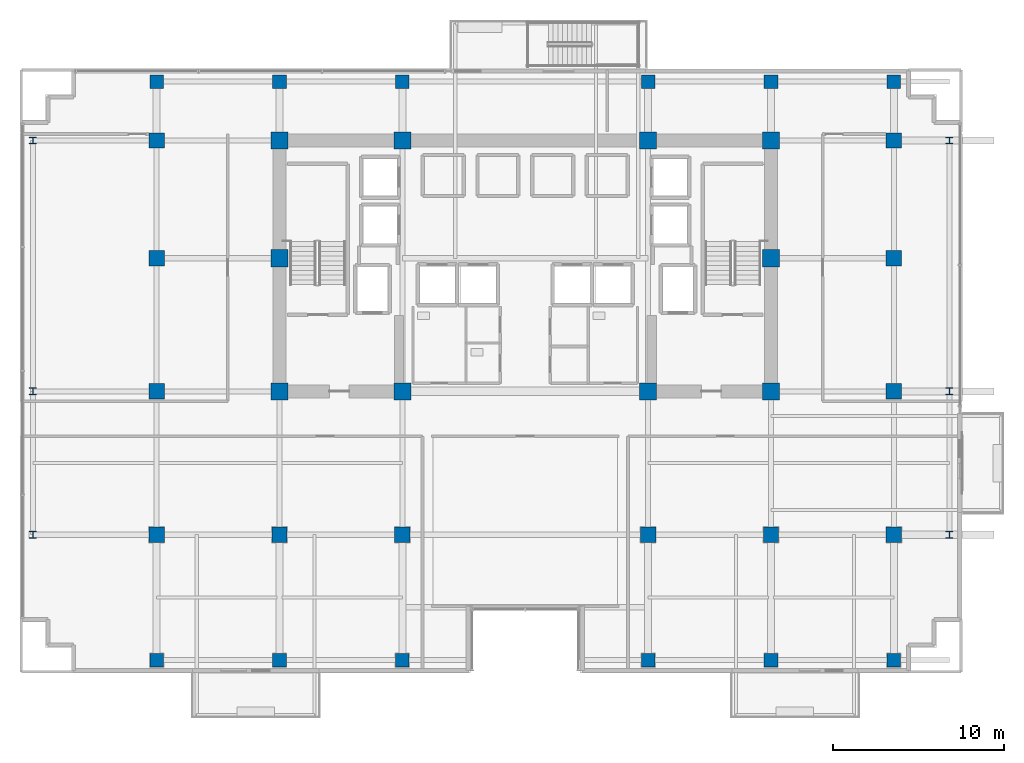
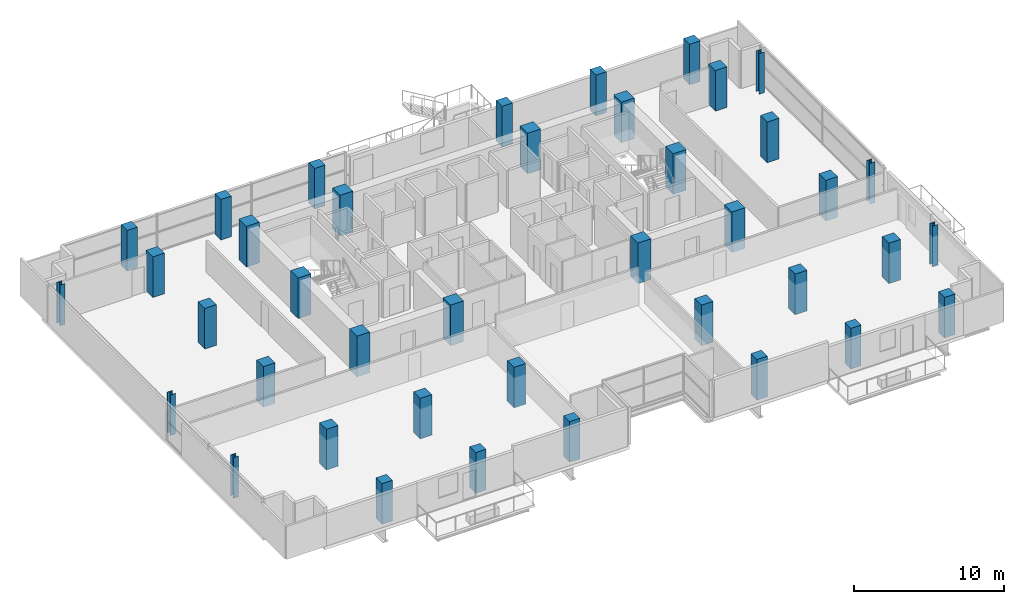
# One storey, part 1 of 27: 40 columns.
"""IFC4 building model written with IfcOpenShell, lengths in metres."""

import ifcopenshell
import ifcopenshell.guid

model = None  # the IFC model being written
_history = None  # IfcOwnerHistory: only IFC2X3 demands one
_inside = {}  # id of a spatial element -> (the spatial element, [elements in it])
_under = {}  # id of a project, library or spatial element -> (it, [spatial elements below it])
_declared = {}  # id of a project -> (the project, [libraries it declares])
_typed = {}  # id of a type object -> (the type object, [elements of that type])
_made_of = {}  # id of a material, layer set ... -> (it, [elements and type objects made of it])


def new_model(schema):
    """Start an empty IFC model of exactly this schema.

    Asked for "IFC4X3", IfcOpenShell would pick the latest addendum, in which some entities
    have other attributes; the version numbers below select the first issue.
    IFC2X3 requires an IfcOwnerHistory on every rooted entity: one is made here for all.
    """
    global model, _history
    if schema == "IFC4X3":
        model = ifcopenshell.file(schema_version=(4, 3, 0, 0))
    else:
        model = ifcopenshell.file(schema=schema)
    _inside.clear()
    _under.clear()
    _declared.clear()
    _typed.clear()
    _made_of.clear()
    _history = None
    if model.schema == "IFC2X3":
        org = make("IfcOrganization", Name="unknown")
        user = make(
            "IfcPersonAndOrganization",
            ThePerson=make("IfcPerson", FamilyName="unknown"),
            TheOrganization=org,
        )
        app = make(
            "IfcApplication",
            ApplicationDeveloper=org,
            Version="unknown",
            ApplicationFullName="unknown",
            ApplicationIdentifier="unknown",
        )
        _history = make(
            "IfcOwnerHistory",
            OwningUser=user,
            OwningApplication=app,
            ChangeAction="ADDED",
            CreationDate=0,
        )
    return model


def make(cls, **values):
    """One entity of the class cls with the attributes given. An attribute that is None is left unset."""
    return model.create_entity(
        cls, **{name: value for name, value in values.items() if value is not None}
    )


def rooted(cls, **values):
    """An entity with a GlobalId (a new one), such as an element, a storey or a relation."""
    return make(cls, GlobalId=ifcopenshell.guid.new(), OwnerHistory=_history, **values)


def si_unit(unit_type, name, prefix=None):
    """IfcSIUnit, for example si_unit("LENGTHUNIT", "METRE", prefix="MILLI")."""
    return make("IfcSIUnit", UnitType=unit_type, Prefix=prefix, Name=name)


def assignment(units):
    """IfcUnitAssignment: the units of a project."""
    return None if units is None else make("IfcUnitAssignment", Units=units)


def point(xyz):
    """IfcCartesianPoint."""
    return None if xyz is None else make("IfcCartesianPoint", Coordinates=xyz)


def direction(xyz):
    """IfcDirection."""
    return None if xyz is None else make("IfcDirection", DirectionRatios=xyz)


def frame(location, z_axis=None, x_axis=None):
    """IfcAxis2Placement3D, a coordinate frame: its origin and axes. An axis left out is left unset."""
    return make(
        "IfcAxis2Placement3D",
        Location=point(location),
        Axis=direction(z_axis),
        RefDirection=direction(x_axis),
    )


def frame_2d(location, x_axis=None):
    """IfcAxis2Placement2D, a coordinate frame in the plane: its origin and x axis."""
    return make(
        "IfcAxis2Placement2D", Location=point(location), RefDirection=direction(x_axis)
    )


def origin():
    """The frame at (0, 0, 0) with its axes left unset."""
    return frame((0.0, 0.0, 0.0))


def origin_2d():
    """The frame at (0, 0) in the plane with its x axis left unset."""
    return frame_2d((0.0, 0.0))


def place(relative_to, where):
    """IfcLocalPlacement: puts the frame where relative to a parent placement (None: the world)."""
    return make(
        "IfcLocalPlacement", PlacementRelTo=relative_to, RelativePlacement=where
    )


def context(
    kind, dimensions, precision=None, world=None, true_north=None, identifier=None
):
    """IfcGeometricRepresentationContext, for example the 3D "Model" context."""
    return make(
        "IfcGeometricRepresentationContext",
        ContextIdentifier=identifier,
        ContextType=kind,
        CoordinateSpaceDimension=dimensions,
        Precision=precision,
        WorldCoordinateSystem=world,
        TrueNorth=true_north,
    )


def subcontext(parent, identifier, kind, view, scale=None):
    """IfcGeometricRepresentationSubContext, for example "Body" below "Model"."""
    return make(
        "IfcGeometricRepresentationSubContext",
        ContextIdentifier=identifier,
        ContextType=kind,
        ParentContext=parent,
        TargetScale=scale,
        TargetView=view,
    )


def project(units=None, contexts=None):
    """IfcProject with its units and contexts."""
    return rooted(
        "IfcProject",
        Name="project",
        RepresentationContexts=contexts,
        UnitsInContext=assignment(units),
    )


def spatial(cls, under=None, at=None, **own):
    """A site, building, storey or space (cls), placed at a placement, below another one or the project."""
    s = rooted(cls, ObjectPlacement=at, **own)
    if under is not None:
        _under.setdefault(under.id(), (under, []))[1].append(s)
    return s


def profile(cls, at=None, kind="AREA", **sizes):
    """A parametric profile (cls). Its sizes go by their IFC names, for example OverallWidth=200.0."""
    return make(cls, ProfileType=kind, Position=at, **sizes)


def rectangle(**sizes):
    """IfcRectangleProfileDef."""
    return profile("IfcRectangleProfileDef", **sizes)


def i_section(**sizes):
    """IfcIShapeProfileDef."""
    return profile("IfcIShapeProfileDef", **sizes)


def extrude(swept, where, along, depth):
    """IfcExtrudedAreaSolid: the profile swept, set in the frame where, extruded along a direction by depth."""
    return make(
        "IfcExtrudedAreaSolid",
        SweptArea=swept,
        Position=where,
        ExtrudedDirection=direction(along),
        Depth=depth,
    )


def shape(context_of_items, identifier, shape_type, items):
    """IfcShapeRepresentation: the items that make up one representation, for example the "Body"."""
    return make(
        "IfcShapeRepresentation",
        ContextOfItems=context_of_items,
        RepresentationIdentifier=identifier,
        RepresentationType=shape_type,
        Items=items,
    )


def material(Name=None, Category=None):
    """IfcMaterial."""
    return make("IfcMaterial", Name=Name, Category=Category)


def material_profile(
    of_material, cross_section, Name=None, Category=None, Priority=None
):
    """IfcMaterialProfile: a cross section and its material."""
    return make(
        "IfcMaterialProfile",
        Name=Name,
        Material=of_material,
        Profile=cross_section,
        Priority=Priority,
        Category=Category,
    )


def profile_set(profiles, Name=None, composite=None):
    """IfcMaterialProfileSet."""
    return make(
        "IfcMaterialProfileSet",
        Name=Name,
        MaterialProfiles=profiles,
        CompositeProfile=composite,
    )


def made_of(thing, what):
    """Note that an element or type object is made of a material, layer set ...; save() writes the relation."""
    if what is not None:
        _made_of.setdefault(what.id(), (what, []))[1].append(thing)
    return thing


def type_object(cls, material=None, **own):
    """A type object (cls), such as IfcWallType, which elements share."""
    return made_of(rooted(cls, **own), material)


def element(
    cls,
    number,
    at=None,
    inside=None,
    cuts=None,
    type_object=None,
    material=None,
    context=None,
    identifier="Body",
    shape_type=None,
    held_by="IfcProductDefinitionShape",
    body=None,
    shapes=None,
    **own,
):
    """One element of the class cls, such as IfcWall. Its Tag is "e" and its number.

    at: its placement. inside: the storey or other place that contains it. cuts: it is an
    opening in that element (IfcRelVoidsElement). A single representation is given by context,
    identifier, shape_type and body (its items); several are given by shapes. held_by: the class
    of the entity that holds the representations. save() writes the other relations.
    """
    e = rooted(cls, Tag="e%d" % number, ObjectPlacement=at, **own)
    if body is not None:
        shapes = [shape(context, identifier, shape_type, body)]
    if shapes is not None:
        e.Representation = make(held_by, Representations=shapes)
    if inside is not None:
        _inside.setdefault(inside.id(), (inside, []))[1].append(e)
    if cuts is not None:
        rooted(
            "IfcRelVoidsElement", RelatingBuildingElement=cuts, RelatedOpeningElement=e
        )
    if type_object is not None:
        _typed.setdefault(type_object.id(), (type_object, []))[1].append(e)
    return made_of(e, material)


def aggregate(whole, parts):
    """IfcRelAggregates: a whole, such as a stair, and the parts it consists of."""
    return rooted("IfcRelAggregates", RelatingObject=whole, RelatedObjects=parts)


def save(model, path):
    """Write the relations noted so far, then the file.

    IfcRelAggregates (storeys below a building ...), IfcRelContainedInSpatialStructure (elements
    in a storey), IfcRelDefinesByType, IfcRelAssociatesMaterial and IfcRelDeclares: one each for
    every whole, place, type object, material and project.
    """
    for whole, parts in _under.values():
        aggregate(whole, parts)
    for where, things in _inside.values():
        rooted(
            "IfcRelContainedInSpatialStructure",
            RelatedElements=things,
            RelatingStructure=where,
        )
    for kind, things in _typed.values():
        rooted("IfcRelDefinesByType", RelatedObjects=things, RelatingType=kind)
    for what, things in _made_of.values():
        rooted("IfcRelAssociatesMaterial", RelatedObjects=things, RelatingMaterial=what)
    for by, libraries in _declared.values():
        rooted("IfcRelDeclares", RelatingContext=by, RelatedDefinitions=libraries)
    model.write(path)


model = new_model("IFC4")

# Units and contexts
model_context = context("Model", 3, precision=1e-05, world=origin(), true_north=direction((0.0, 1.0)))
body_context = subcontext(model_context, "Body", "Model", "MODEL_VIEW")
ifc_project = project(units=[si_unit("LENGTHUNIT", "METRE"), si_unit("AREAUNIT", "SQUARE_METRE"), si_unit("VOLUMEUNIT", "CUBIC_METRE"), si_unit("PLANEANGLEUNIT", "RADIAN"), si_unit("MASSUNIT", "GRAM", prefix="KILO")], contexts=[model_context])

# Site, building, storey
site_placement = place(None, origin())
site = spatial("IfcSite", under=ifc_project, at=site_placement, CompositionType="ELEMENT")
building_placement = place(site_placement, origin())
building = spatial("IfcBuilding", under=site, at=building_placement, Name="Zarnakvel Exchange Tower", CompositionType="ELEMENT")
storey_placement = place(building_placement, frame((0.0, 0.0, 86.800048828125)))
storey = spatial("IfcBuildingStorey", under=building, at=storey_placement, Name="L23", CompositionType="ELEMENT", Elevation=86.800048828125)

# Columns
ifc_material_1 = material(Name="Concrete C60/75", Category="concrete")
ifc_material_profile_1 = material_profile(ifc_material_1, rectangle(XDim=1.0, YDim=1.0, at=origin_2d()))
ifc_profile_set_1 = profile_set([ifc_material_profile_1], Name="Concrete C60/75")
column_type_1 = type_object("IfcColumnType", Name="CC-02", PredefinedType="COLUMN", material=ifc_profile_set_1)
for number, where, z_axis, x_axis, name in (
    (1, (-14.39990234375, -1.199951171875, 0.0), (0.0, 0.0, 1.0), (1.0, 0.0, 0.0), "L23 Column C-4D (CC-02)"),
    (2, (-7.199951171875, -1.199951171875, 0.0), (0.0, 0.0, 1.0), (1.0, 0.0, 0.0), "L23 Column C-5D (CC-02)"),
    (3, (7.199951171875, -1.199951171875, 0.0), (0.0, 0.0, 1.0), (1.0, 0.0, 0.0), "L23 Column C-8D (CC-02)"),
    (4, (14.39990234375, -1.199951171875, 0.0), (0.0, 0.0, 1.0), (1.0, 0.0, 0.0), "L23 Column C-9D (CC-02)"),
    (5, (-14.39990234375, 6.60009765625, 0.0), (0.0, 0.0, 1.0), (1.0, 0.0, 0.0), "L23 Column C-4E (CC-02)"),
    (6, (14.39990234375, 6.60009765625, 0.0), (0.0, 0.0, 1.0), (1.0, 0.0, 0.0), "L23 Column C-9E (CC-02)"),
    (7, (-14.39990234375, 13.5, 0.0), (0.0, 0.0, 1.0), (1.0, 0.0, 0.0), "L23 Column C-4F (CC-02)"),
    (8, (-7.199951171875, 13.5, 0.0), (0.0, 0.0, 1.0), (1.0, 0.0, 0.0), "L23 Column C-5F (CC-02)"),
    (9, (7.199951171875, 13.5, 0.0), (0.0, 0.0, 1.0), (1.0, 0.0, 0.0), "L23 Column C-8F (CC-02)"),
    (10, (14.39990234375, 13.5, 0.0), (0.0, 0.0, 1.0), (1.0, 0.0, 0.0), "L23 Column C-9F (CC-02)"),
):
    element("IfcColumn", number, at=place(storey_placement, frame(where, z_axis=z_axis, x_axis=x_axis)), inside=storey, type_object=column_type_1, Name=name, PredefinedType="COLUMN", context=body_context, shape_type="SweptSolid", body=[
        extrude(rectangle(XDim=1.0, YDim=1.0, at=origin_2d()), origin(), (0.0, 0.0, 1.0), 3.300048828125),
    ])
ifc_material_2 = material(Name="Steel S355", Category="steel")
ifc_material_profile_2 = material_profile(ifc_material_2, i_section(OverallWidth=0.404052734375, OverallDepth=0.406982421875, WebThickness=0.0224609375, FlangeThickness=0.031982421875, FilletRadius=0.014892578125, at=origin_2d()))
ifc_profile_set_2 = profile_set([ifc_material_profile_2], Name="Steel S355")
column_type_2 = type_object("IfcColumnType", Name="SC-02", PredefinedType="COLUMN", material=ifc_profile_set_2)
for number, where, z_axis, x_axis, name in (
    (11, (-28.85009765625, -9.60009765625, 0.0), (0.0, 0.0, 1.0), (1.0, 0.0, 0.0), "L23 Column TW-C (SC-02)"),
    (12, (24.85009765625, -9.60009765625, 0.0), (0.0, 0.0, 1.0), (1.0, 0.0, 0.0), "L23 Column TE-C (SC-02)"),
    (13, (-28.85009765625, -1.199951171875, 0.0), (0.0, 0.0, 1.0), (1.0, 0.0, 0.0), "L23 Column TW-D (SC-02)"),
    (14, (24.85009765625, -1.199951171875, 0.0), (0.0, 0.0, 1.0), (1.0, 0.0, 0.0), "L23 Column TE-D (SC-02)"),
    (15, (-28.85009765625, 13.5, 0.0), (0.0, 0.0, 1.0), (1.0, 0.0, 0.0), "L23 Column TW-F (SC-02)"),
    (16, (24.85009765625, 13.5, 0.0), (0.0, 0.0, 1.0), (1.0, 0.0, 0.0), "L23 Column TE-F (SC-02)"),
):
    element("IfcColumn", number, at=place(storey_placement, frame(where, z_axis=z_axis, x_axis=x_axis)), inside=storey, type_object=column_type_2, Name=name, PredefinedType="COLUMN", context=body_context, shape_type="SweptSolid", body=[
        extrude(i_section(OverallWidth=0.404052734375, OverallDepth=0.406982421875, WebThickness=0.0224609375, FlangeThickness=0.031982421875, FilletRadius=0.014892578125, at=origin_2d()), origin(), (0.0, 0.0, 1.0), 3.300048828125),
    ])
ifc_material_profile_3 = material_profile(ifc_material_1, rectangle(XDim=0.89990234375, YDim=0.89990234375, at=origin_2d()))
ifc_profile_set_3 = profile_set([ifc_material_profile_3], Name="Concrete C60/75")
column_type_3 = type_object("IfcColumnType", Name="TC-02", PredefinedType="COLUMN", material=ifc_profile_set_3)
for number, where, z_axis, x_axis, name in (
    (17, (-14.39990234375, -9.60009765625, 0.0), (0.0, 0.0, 1.0), (1.0, 0.0, 0.0), "L23 Column T-4C (TC-02)"),
    (18, (-7.199951171875, -9.60009765625, 0.0), (0.0, 0.0, 1.0), (1.0, 0.0, 0.0), "L23 Column T-5C (TC-02)"),
    (19, (7.199951171875, -9.60009765625, 0.0), (0.0, 0.0, 1.0), (1.0, 0.0, 0.0), "L23 Column T-8C (TC-02)"),
    (20, (14.39990234375, -9.60009765625, 0.0), (0.0, 0.0, 1.0), (1.0, 0.0, 0.0), "L23 Column T-9C (TC-02)"),
    (21, (-21.60009765625, -9.60009765625, 0.0), (0.0, 0.0, 1.0), (1.0, 0.0, 0.0), "L23 Column T-3C (TC-02)"),
    (22, (-21.60009765625, -1.199951171875, 0.0), (0.0, 0.0, 1.0), (1.0, 0.0, 0.0), "L23 Column T-3D (TC-02)"),
    (23, (-21.60009765625, 6.60009765625, 0.0), (0.0, 0.0, 1.0), (1.0, 0.0, 0.0), "L23 Column T-3E (TC-02)"),
    (24, (-21.60009765625, 13.5, 0.0), (0.0, 0.0, 1.0), (1.0, 0.0, 0.0), "L23 Column T-3F (TC-02)"),
    (25, (21.60009765625, -9.60009765625, 0.0), (0.0, 0.0, 1.0), (1.0, 0.0, 0.0), "L23 Column T-10C (TC-02)"),
    (26, (21.60009765625, -1.199951171875, 0.0), (0.0, 0.0, 1.0), (1.0, 0.0, 0.0), "L23 Column T-10D (TC-02)"),
    (27, (21.60009765625, 6.60009765625, 0.0), (0.0, 0.0, 1.0), (1.0, 0.0, 0.0), "L23 Column T-10E (TC-02)"),
    (28, (21.60009765625, 13.5, 0.0), (0.0, 0.0, 1.0), (1.0, 0.0, 0.0), "L23 Column T-10F (TC-02)"),
):
    element("IfcColumn", number, at=place(storey_placement, frame(where, z_axis=z_axis, x_axis=x_axis)), inside=storey, type_object=column_type_3, Name=name, PredefinedType="COLUMN", context=body_context, shape_type="SweptSolid", body=[
        extrude(rectangle(XDim=0.89990234375, YDim=0.89990234375, at=origin_2d()), origin(), (0.0, 0.0, 1.0), 3.300048828125),
    ])
ifc_material_profile_4 = material_profile(ifc_material_1, rectangle(XDim=0.800048828125, YDim=0.800048828125, at=origin_2d()))
ifc_profile_set_4 = profile_set([ifc_material_profile_4], Name="Concrete C60/75")
column_type_4 = type_object("IfcColumnType", Name="TC-03", PredefinedType="COLUMN", material=ifc_profile_set_4)
for number, where, z_axis, x_axis, name in (
    (29, (-14.39990234375, -16.949951171875, 0.0), (0.0, 0.0, 1.0), (1.0, 0.0, 0.0), "L23 Column TS-4 (TC-03)"),
    (30, (-14.39990234375, 16.949951171875, 0.0), (0.0, 0.0, 1.0), (1.0, 0.0, 0.0), "L23 Column TN-4 (TC-03)"),
    (31, (-7.199951171875, -16.949951171875, 0.0), (0.0, 0.0, 1.0), (1.0, 0.0, 0.0), "L23 Column TS-5 (TC-03)"),
    (32, (-7.199951171875, 16.949951171875, 0.0), (0.0, 0.0, 1.0), (1.0, 0.0, 0.0), "L23 Column TN-5 (TC-03)"),
    (33, (7.199951171875, -16.949951171875, 0.0), (0.0, 0.0, 1.0), (1.0, 0.0, 0.0), "L23 Column TS-8 (TC-03)"),
    (34, (7.199951171875, 16.949951171875, 0.0), (0.0, 0.0, 1.0), (1.0, 0.0, 0.0), "L23 Column TN-8 (TC-03)"),
    (35, (14.39990234375, -16.949951171875, 0.0), (0.0, 0.0, 1.0), (1.0, 0.0, 0.0), "L23 Column TS-9 (TC-03)"),
    (36, (14.39990234375, 16.949951171875, 0.0), (0.0, 0.0, 1.0), (1.0, 0.0, 0.0), "L23 Column TN-9 (TC-03)"),
    (37, (-21.60009765625, -16.949951171875, 0.0), (0.0, 0.0, 1.0), (1.0, 0.0, 0.0), "L23 Column TS-3 (TC-03)"),
    (38, (-21.60009765625, 16.949951171875, 0.0), (0.0, 0.0, 1.0), (1.0, 0.0, 0.0), "L23 Column TN-3 (TC-03)"),
    (39, (21.60009765625, -16.949951171875, 0.0), (0.0, 0.0, 1.0), (1.0, 0.0, 0.0), "L23 Column TS-10 (TC-03)"),
    (40, (21.60009765625, 16.949951171875, 0.0), (0.0, 0.0, 1.0), (1.0, 0.0, 0.0), "L23 Column TN-10 (TC-03)"),
):
    element("IfcColumn", number, at=place(storey_placement, frame(where, z_axis=z_axis, x_axis=x_axis)), inside=storey, type_object=column_type_4, Name=name, PredefinedType="COLUMN", context=body_context, shape_type="SweptSolid", body=[
        extrude(rectangle(XDim=0.800048828125, YDim=0.800048828125, at=origin_2d()), origin(), (0.0, 0.0, 1.0), 3.300048828125),
    ])

save(model, "model.ifc")
